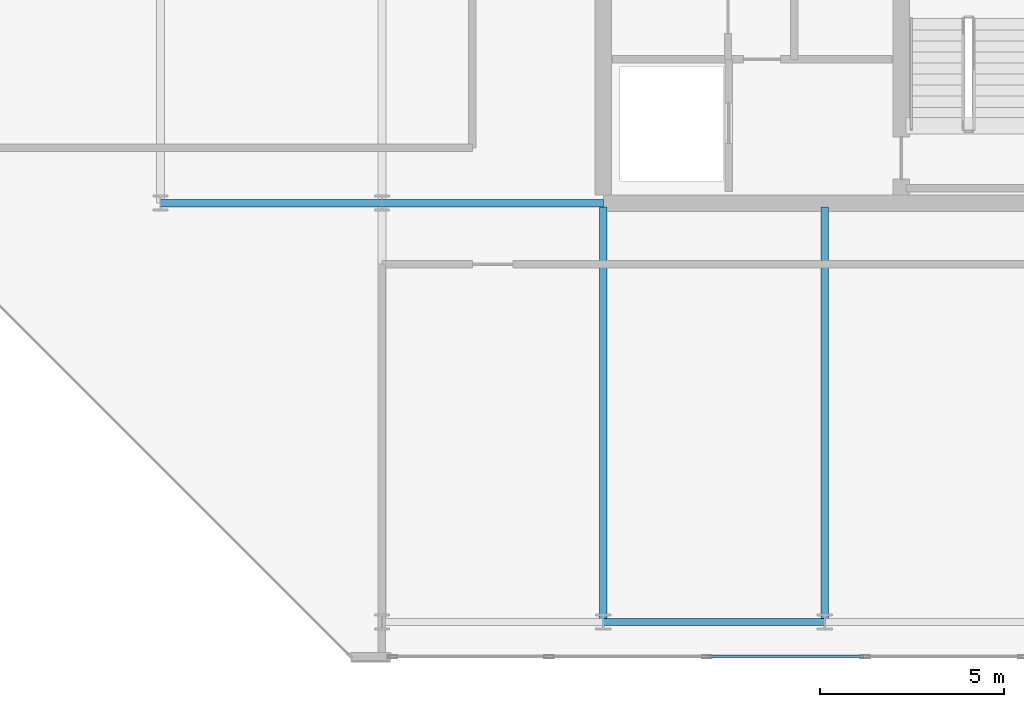
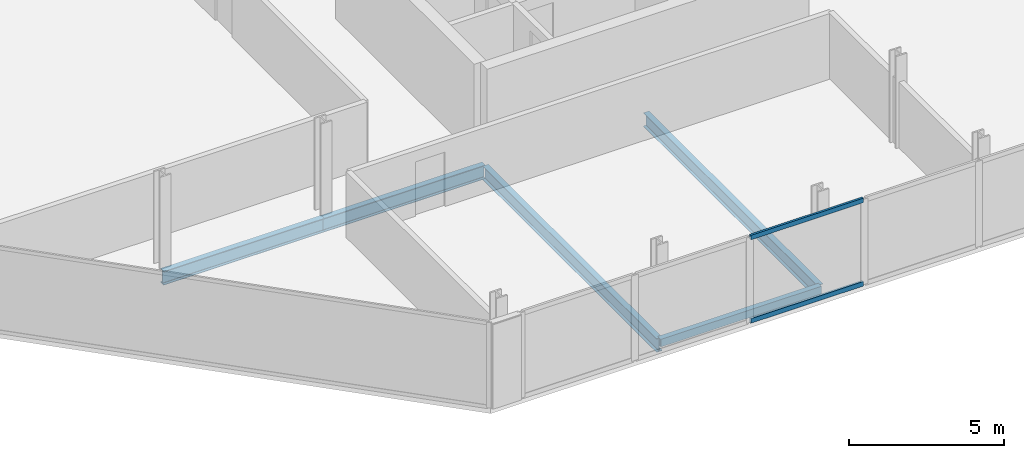
# One storey, part 3 of 16: 5 beams, 2 members, 1 element without a shape of its own.
"""IFC4 building model written with IfcOpenShell, lengths in metres."""

from ifc_helpers import new_model, si_unit, direction, frame, origin, origin_2d, place, context, subcontext, project, spatial, hollow_rectangle, i_section, extrude, material, layer, layer_set, material_profile, profile_set, type_object, element, aggregate, save


model = new_model("IFC4")

# Units and contexts
model_context = context("Model", 3, precision=1e-05, world=origin(), true_north=direction((0.0, 1.0)))
body_context = subcontext(model_context, "Body", "Model", "MODEL_VIEW")
ifc_project = project(units=[si_unit("LENGTHUNIT", "METRE"), si_unit("AREAUNIT", "SQUARE_METRE"), si_unit("VOLUMEUNIT", "CUBIC_METRE"), si_unit("PLANEANGLEUNIT", "RADIAN"), si_unit("MASSUNIT", "GRAM", prefix="KILO")], contexts=[model_context])

# Site, building, storey
site_placement = place(None, origin())
site = spatial("IfcSite", under=ifc_project, at=site_placement, CompositionType="ELEMENT")
building_placement = place(site_placement, origin())
building = spatial("IfcBuilding", under=site, at=building_placement, Name="Tanjung Sevakor Pilgrim Tower", CompositionType="ELEMENT")
storey_placement = place(building_placement, frame((0.0, 0.0, 275.219970703125)))
storey = spatial("IfcBuildingStorey", under=building, at=storey_placement, Name="L77", CompositionType="ELEMENT", Elevation=275.219970703125)

# Beams
ifc_material_1 = material(Name="Steel S355J2", Category="steel")
ifc_material_profile_1 = material_profile(ifc_material_1, i_section(OverallWidth=0.2119140625, OverallDepth=0.54443359375, WebThickness=0.0126953125, FlangeThickness=0.021240234375, FilletRadius=0.0126953125, at=origin_2d()))
ifc_profile_set_1 = profile_set([ifc_material_profile_1], Name="Steel S355J2")
beam_type_1 = type_object("IfcBeamType", Name="BM-B-G5-UB_533x210x122", PredefinedType="BEAM", material=ifc_profile_set_1)
for number, where, z_axis, x_axis, name in (
    (1, (66.0, 24.60009765625, -0.4921875), (1.0, 0.0, 0.0), (0.0, 1.0, 0.0), "L77 Primary Floor Girder EAST Y246-01"),
    (2, (72.0, 24.60009765625, -0.4921875), (1.0, 0.0, 0.0), (0.0, 1.0, 0.0), "L77 Primary Floor Girder EAST Y246-02"),
):
    element("IfcBeam", number, at=place(storey_placement, frame(where, z_axis=z_axis, x_axis=x_axis)), inside=storey, type_object=beam_type_1, Name=name, PredefinedType="BEAM", context=body_context, shape_type="SweptSolid", body=[
        extrude(i_section(OverallWidth=0.2119140625, OverallDepth=0.54443359375, WebThickness=0.0126953125, FlangeThickness=0.021240234375, FilletRadius=0.0126953125, at=origin_2d()), origin(), (0.0, 0.0, 1.0), 6.0),
    ])
ifc_material_2 = material(Name="Steel S355J2", Category="steel")
ifc_material_profile_2 = material_profile(ifc_material_2, i_section(OverallWidth=0.210693359375, OverallDepth=0.53955078125, WebThickness=0.01171875, FlangeThickness=0.018798828125, FilletRadius=0.0126953125, at=origin_2d()))
ifc_profile_set_2 = profile_set([ifc_material_profile_2], Name="Steel S355J2")
beam_type_2 = type_object("IfcBeamType", Name="BM-B-G6-UB_533x210x109", PredefinedType="BEAM", material=ifc_profile_set_2)
for number, where, z_axis, x_axis, name in (
    (3, (78.0, 13.25, -0.48974609375), (0.0, 1.0, 0.0), (-1.0, 0.0, 0.0), "L77 EAST Girder 005"),
    (4, (84.0, 13.25, -0.48974609375), (0.0, 1.0, 0.0), (-1.0, 0.0, 0.0), "L77 EAST Girder 007"),
):
    element("IfcBeam", number, at=place(storey_placement, frame(where, z_axis=z_axis, x_axis=x_axis)), inside=storey, type_object=beam_type_2, Name=name, PredefinedType="BEAM", context=body_context, shape_type="SweptSolid", body=[
        extrude(i_section(OverallWidth=0.210693359375, OverallDepth=0.53955078125, WebThickness=0.01171875, FlangeThickness=0.018798828125, FilletRadius=0.0126953125, at=origin_2d()), origin(), (0.0, 0.0, 1.0), 11.243896484375),
    ])
ifc_material_3 = material(Name="Steel S355J2", Category="steel")
ifc_material_profile_3 = material_profile(ifc_material_3, hollow_rectangle(XDim=0.199951171875, YDim=0.300048828125, WallThickness=0.012451171875, at=origin_2d()))
ifc_profile_set_3 = profile_set([ifc_material_profile_3], Name="Steel S355J2")
beam_type_3 = type_object("IfcBeamType", Name="BM-B-SP3-RHS_300x200x12.5", PredefinedType="SPANDREL", material=ifc_profile_set_3)
beam_placement = place(storey_placement, frame((78.0, 13.25, -0.369873046875), z_axis=(1.0, 0.0, 0.0), x_axis=(0.0, 1.0, 0.0)))
element("IfcBeam", 5, at=beam_placement, inside=storey, type_object=beam_type_3, Name="L77 Spandrel EAST S-03", PredefinedType="SPANDREL", context=body_context, shape_type="SweptSolid", body=[
    extrude(hollow_rectangle(XDim=0.199951171875, YDim=0.300048828125, WallThickness=0.012451171875, at=origin_2d()), origin(), (0.0, 0.0, 1.0), 6.0),
])

# Curtain wall, members
ifc_material_4 = material(Name="Aluminium 6063-T6 and Low-E Glass", Category="aluminium")
ifc_layer = layer(ifc_material_4, 0.219970703125)
ifc_layer_set = layer_set([ifc_layer], Name="CW-SYS-CRNE")
curtain_wall_type = type_object("IfcCurtainWallType", Name="CW-SYS-CRNE", PredefinedType="NOTDEFINED", material=ifc_layer_set)
curtain_wall_placement = place(storey_placement, origin())
curtain_wall = element("IfcCurtainWall", 6, at=curtain_wall_placement, inside=storey, type_object=curtain_wall_type, Name="L77 Curtain Wall CW-CRN-L77-EAST-0-1", PredefinedType="NOTDEFINED")
ifc_material_5 = material(Name="Aluminium 6063-T6", Category="aluminium")
ifc_material_profile_4 = material_profile(ifc_material_5, hollow_rectangle(XDim=0.080078125, YDim=0.179931640625, WallThickness=0.0048828125, at=origin_2d()))
ifc_profile_set_4 = profile_set([ifc_material_profile_4], Name="Aluminium 6063-T6")
member_type = type_object("IfcMemberType", Name="TYPE-CWT-3", PredefinedType="USERDEFINED", material=ifc_profile_set_4)
member_1_placement = place(storey_placement, frame((80.84912109375, 12.31005859375, 0.0400390625), z_axis=(1.0, 0.0, 0.0), x_axis=(0.0, 1.0, 0.0)))
member_1 = element("IfcMember", 7, at=member_1_placement, type_object=member_type, Name="CW-CRE transom 3.1", ObjectType="TRANSOM", PredefinedType="USERDEFINED", context=body_context, shape_type="SweptSolid", body=[
    extrude(hollow_rectangle(XDim=0.080078125, YDim=0.179931640625, WallThickness=0.0048828125, at=origin_2d()), origin(), (0.0, 0.0, 1.0), 4.20166015625),
])
member_2_placement = place(storey_placement, frame((80.84912109375, 12.31005859375, 3.330078125), z_axis=(1.0, 0.0, 0.0), x_axis=(0.0, 1.0, 0.0)))
member_2 = element("IfcMember", 8, at=member_2_placement, type_object=member_type, Name="CW-CRE transom 3.2", ObjectType="TRANSOM", PredefinedType="USERDEFINED", context=body_context, shape_type="SweptSolid", body=[
    extrude(hollow_rectangle(XDim=0.080078125, YDim=0.179931640625, WallThickness=0.0048828125, at=origin_2d()), origin(), (0.0, 0.0, 1.0), 4.20166015625),
])
aggregate(curtain_wall, [member_1, member_2])

save(model, "model.ifc")
